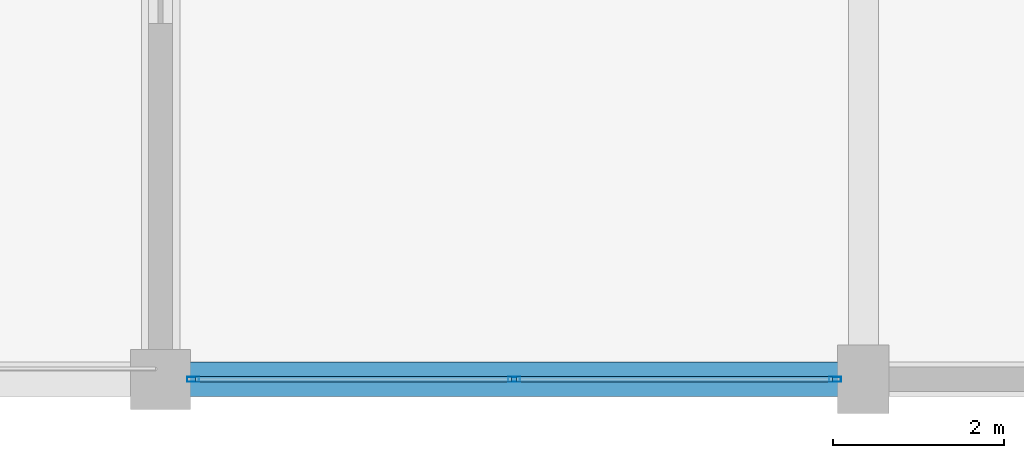
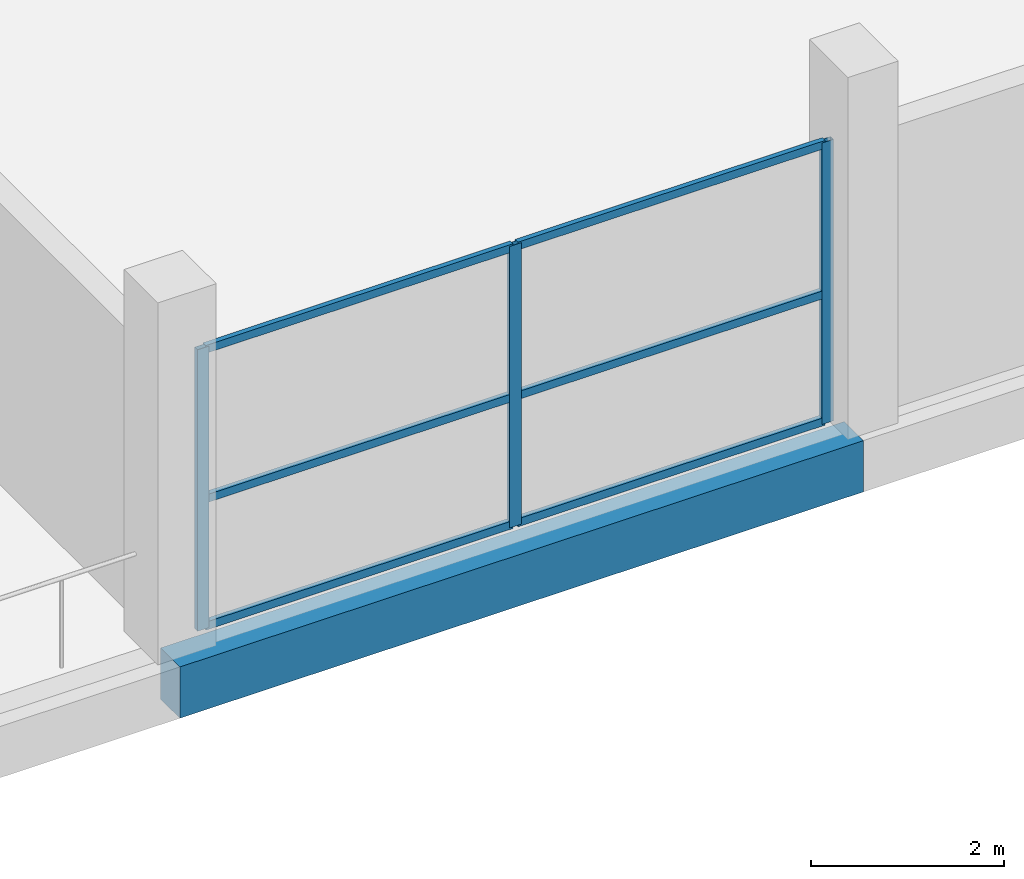
# One storey, part 10 of 49: 9 members, 1 beam, 1 element without a shape of its own.
"""IFC4 building model written with IfcOpenShell, lengths in metres."""

import ifcopenshell
import ifcopenshell.guid

model = None  # the IFC model being written
_history = None  # IfcOwnerHistory: only IFC2X3 demands one
_inside = {}  # id of a spatial element -> (the spatial element, [elements in it])
_under = {}  # id of a project, library or spatial element -> (it, [spatial elements below it])
_declared = {}  # id of a project -> (the project, [libraries it declares])
_typed = {}  # id of a type object -> (the type object, [elements of that type])
_made_of = {}  # id of a material, layer set ... -> (it, [elements and type objects made of it])


def new_model(schema):
    """Start an empty IFC model of exactly this schema.

    Asked for "IFC4X3", IfcOpenShell would pick the latest addendum, in which some entities
    have other attributes; the version numbers below select the first issue.
    IFC2X3 requires an IfcOwnerHistory on every rooted entity: one is made here for all.
    """
    global model, _history
    if schema == "IFC4X3":
        model = ifcopenshell.file(schema_version=(4, 3, 0, 0))
    else:
        model = ifcopenshell.file(schema=schema)
    _inside.clear()
    _under.clear()
    _declared.clear()
    _typed.clear()
    _made_of.clear()
    _history = None
    if model.schema == "IFC2X3":
        org = make("IfcOrganization", Name="unknown")
        user = make(
            "IfcPersonAndOrganization",
            ThePerson=make("IfcPerson", FamilyName="unknown"),
            TheOrganization=org,
        )
        app = make(
            "IfcApplication",
            ApplicationDeveloper=org,
            Version="unknown",
            ApplicationFullName="unknown",
            ApplicationIdentifier="unknown",
        )
        _history = make(
            "IfcOwnerHistory",
            OwningUser=user,
            OwningApplication=app,
            ChangeAction="ADDED",
            CreationDate=0,
        )
    return model


def make(cls, **values):
    """One entity of the class cls with the attributes given. An attribute that is None is left unset."""
    return model.create_entity(
        cls, **{name: value for name, value in values.items() if value is not None}
    )


def rooted(cls, **values):
    """An entity with a GlobalId (a new one), such as an element, a storey or a relation."""
    return make(cls, GlobalId=ifcopenshell.guid.new(), OwnerHistory=_history, **values)


def si_unit(unit_type, name, prefix=None):
    """IfcSIUnit, for example si_unit("LENGTHUNIT", "METRE", prefix="MILLI")."""
    return make("IfcSIUnit", UnitType=unit_type, Prefix=prefix, Name=name)


def assignment(units):
    """IfcUnitAssignment: the units of a project."""
    return None if units is None else make("IfcUnitAssignment", Units=units)


def point(xyz):
    """IfcCartesianPoint."""
    return None if xyz is None else make("IfcCartesianPoint", Coordinates=xyz)


def direction(xyz):
    """IfcDirection."""
    return None if xyz is None else make("IfcDirection", DirectionRatios=xyz)


def frame(location, z_axis=None, x_axis=None):
    """IfcAxis2Placement3D, a coordinate frame: its origin and axes. An axis left out is left unset."""
    return make(
        "IfcAxis2Placement3D",
        Location=point(location),
        Axis=direction(z_axis),
        RefDirection=direction(x_axis),
    )


def frame_2d(location, x_axis=None):
    """IfcAxis2Placement2D, a coordinate frame in the plane: its origin and x axis."""
    return make(
        "IfcAxis2Placement2D", Location=point(location), RefDirection=direction(x_axis)
    )


def origin():
    """The frame at (0, 0, 0) with its axes left unset."""
    return frame((0.0, 0.0, 0.0))


def origin_2d():
    """The frame at (0, 0) in the plane with its x axis left unset."""
    return frame_2d((0.0, 0.0))


def place(relative_to, where):
    """IfcLocalPlacement: puts the frame where relative to a parent placement (None: the world)."""
    return make(
        "IfcLocalPlacement", PlacementRelTo=relative_to, RelativePlacement=where
    )


def context(
    kind, dimensions, precision=None, world=None, true_north=None, identifier=None
):
    """IfcGeometricRepresentationContext, for example the 3D "Model" context."""
    return make(
        "IfcGeometricRepresentationContext",
        ContextIdentifier=identifier,
        ContextType=kind,
        CoordinateSpaceDimension=dimensions,
        Precision=precision,
        WorldCoordinateSystem=world,
        TrueNorth=true_north,
    )


def subcontext(parent, identifier, kind, view, scale=None):
    """IfcGeometricRepresentationSubContext, for example "Body" below "Model"."""
    return make(
        "IfcGeometricRepresentationSubContext",
        ContextIdentifier=identifier,
        ContextType=kind,
        ParentContext=parent,
        TargetScale=scale,
        TargetView=view,
    )


def project(units=None, contexts=None):
    """IfcProject with its units and contexts."""
    return rooted(
        "IfcProject",
        Name="project",
        RepresentationContexts=contexts,
        UnitsInContext=assignment(units),
    )


def spatial(cls, under=None, at=None, **own):
    """A site, building, storey or space (cls), placed at a placement, below another one or the project."""
    s = rooted(cls, ObjectPlacement=at, **own)
    if under is not None:
        _under.setdefault(under.id(), (under, []))[1].append(s)
    return s


def profile(cls, at=None, kind="AREA", **sizes):
    """A parametric profile (cls). Its sizes go by their IFC names, for example OverallWidth=200.0."""
    return make(cls, ProfileType=kind, Position=at, **sizes)


def rectangle(**sizes):
    """IfcRectangleProfileDef."""
    return profile("IfcRectangleProfileDef", **sizes)


def hollow_rectangle(**sizes):
    """IfcRectangleHollowProfileDef."""
    return profile("IfcRectangleHollowProfileDef", **sizes)


def extrude(swept, where, along, depth):
    """IfcExtrudedAreaSolid: the profile swept, set in the frame where, extruded along a direction by depth."""
    return make(
        "IfcExtrudedAreaSolid",
        SweptArea=swept,
        Position=where,
        ExtrudedDirection=direction(along),
        Depth=depth,
    )


def shape(context_of_items, identifier, shape_type, items):
    """IfcShapeRepresentation: the items that make up one representation, for example the "Body"."""
    return make(
        "IfcShapeRepresentation",
        ContextOfItems=context_of_items,
        RepresentationIdentifier=identifier,
        RepresentationType=shape_type,
        Items=items,
    )


def material(Name=None, Category=None):
    """IfcMaterial."""
    return make("IfcMaterial", Name=Name, Category=Category)


def layer(
    of_material, thickness, ventilated=None, Name=None, Category=None, Priority=None
):
    """IfcMaterialLayer: one layer of a wall or slab, of a material (None: an air gap)."""
    return make(
        "IfcMaterialLayer",
        Material=of_material,
        LayerThickness=thickness,
        IsVentilated=ventilated,
        Name=Name,
        Category=Category,
        Priority=Priority,
    )


def layer_set(layers, Name=None):
    """IfcMaterialLayerSet."""
    return make("IfcMaterialLayerSet", MaterialLayers=layers, LayerSetName=Name)


def material_profile(
    of_material, cross_section, Name=None, Category=None, Priority=None
):
    """IfcMaterialProfile: a cross section and its material."""
    return make(
        "IfcMaterialProfile",
        Name=Name,
        Material=of_material,
        Profile=cross_section,
        Priority=Priority,
        Category=Category,
    )


def profile_set(profiles, Name=None, composite=None):
    """IfcMaterialProfileSet."""
    return make(
        "IfcMaterialProfileSet",
        Name=Name,
        MaterialProfiles=profiles,
        CompositeProfile=composite,
    )


def made_of(thing, what):
    """Note that an element or type object is made of a material, layer set ...; save() writes the relation."""
    if what is not None:
        _made_of.setdefault(what.id(), (what, []))[1].append(thing)
    return thing


def type_object(cls, material=None, **own):
    """A type object (cls), such as IfcWallType, which elements share."""
    return made_of(rooted(cls, **own), material)


def element(
    cls,
    number,
    at=None,
    inside=None,
    cuts=None,
    type_object=None,
    material=None,
    context=None,
    identifier="Body",
    shape_type=None,
    held_by="IfcProductDefinitionShape",
    body=None,
    shapes=None,
    **own,
):
    """One element of the class cls, such as IfcWall. Its Tag is "e" and its number.

    at: its placement. inside: the storey or other place that contains it. cuts: it is an
    opening in that element (IfcRelVoidsElement). A single representation is given by context,
    identifier, shape_type and body (its items); several are given by shapes. held_by: the class
    of the entity that holds the representations. save() writes the other relations.
    """
    e = rooted(cls, Tag="e%d" % number, ObjectPlacement=at, **own)
    if body is not None:
        shapes = [shape(context, identifier, shape_type, body)]
    if shapes is not None:
        e.Representation = make(held_by, Representations=shapes)
    if inside is not None:
        _inside.setdefault(inside.id(), (inside, []))[1].append(e)
    if cuts is not None:
        rooted(
            "IfcRelVoidsElement", RelatingBuildingElement=cuts, RelatedOpeningElement=e
        )
    if type_object is not None:
        _typed.setdefault(type_object.id(), (type_object, []))[1].append(e)
    return made_of(e, material)


def aggregate(whole, parts):
    """IfcRelAggregates: a whole, such as a stair, and the parts it consists of."""
    return rooted("IfcRelAggregates", RelatingObject=whole, RelatedObjects=parts)


def save(model, path):
    """Write the relations noted so far, then the file.

    IfcRelAggregates (storeys below a building ...), IfcRelContainedInSpatialStructure (elements
    in a storey), IfcRelDefinesByType, IfcRelAssociatesMaterial and IfcRelDeclares: one each for
    every whole, place, type object, material and project.
    """
    for whole, parts in _under.values():
        aggregate(whole, parts)
    for where, things in _inside.values():
        rooted(
            "IfcRelContainedInSpatialStructure",
            RelatedElements=things,
            RelatingStructure=where,
        )
    for kind, things in _typed.values():
        rooted("IfcRelDefinesByType", RelatedObjects=things, RelatingType=kind)
    for what, things in _made_of.values():
        rooted("IfcRelAssociatesMaterial", RelatedObjects=things, RelatingMaterial=what)
    for by, libraries in _declared.values():
        rooted("IfcRelDeclares", RelatingContext=by, RelatedDefinitions=libraries)
    model.write(path)


model = new_model("IFC4")

# Units and contexts
model_context = context("Model", 3, precision=1e-05, world=origin(), true_north=direction((0.0, 1.0)))
body_context = subcontext(model_context, "Body", "Model", "MODEL_VIEW")
ifc_project = project(units=[si_unit("LENGTHUNIT", "METRE"), si_unit("AREAUNIT", "SQUARE_METRE"), si_unit("VOLUMEUNIT", "CUBIC_METRE"), si_unit("PLANEANGLEUNIT", "RADIAN"), si_unit("MASSUNIT", "GRAM", prefix="KILO")], contexts=[model_context])

# Site, building, storey
site_placement = place(None, origin())
site = spatial("IfcSite", under=ifc_project, at=site_placement, CompositionType="ELEMENT")
building_placement = place(site_placement, origin())
building = spatial("IfcBuilding", under=site, at=building_placement, Name="Sillaruma Civic Art Gallery", CompositionType="ELEMENT")
storey_placement = place(building_placement, frame((0.0, 0.0, 33.14990234375)))
storey = spatial("IfcBuildingStorey", under=building, at=storey_placement, Name="L06", CompositionType="ELEMENT", Elevation=33.14990234375)

# Beam
ifc_material_1 = material(Name="Concrete H35 (35 MPa)", Category="concrete")
ifc_material_profile_1 = material_profile(ifc_material_1, rectangle(XDim=0.39990234375, YDim=0.64990234375, at=origin_2d()), Name="RCB400x650")
ifc_profile_set_1 = profile_set([ifc_material_profile_1], Name="Concrete H35 (35 MPa)")
beam_type = type_object("IfcBeamType", Name="BM-SPANDREL-RCB400x650", PredefinedType="SPANDREL", material=ifc_profile_set_1)
beam_placement = place(storey_placement, frame((98.0, 19.800048828125, -0.56494140625), z_axis=(1.0, 0.0, 0.0), x_axis=(0.0, 1.0, 0.0)))
element("IfcBeam", 1, at=beam_placement, inside=storey, type_object=beam_type, Name="Beam BS-02 (L05:3:L-M)", PredefinedType="SPANDREL", context=body_context, shape_type="SweptSolid", body=[
    extrude(rectangle(XDim=0.39990234375, YDim=0.64990234375, at=origin_2d()), origin(), (0.0, 0.0, 1.0), 8.199951171875),
])

# Curtain wall, members
ifc_material_2 = material(Name="Thermally Broken Extruded Aluminium 6063-T6", Category="aluminium")
ifc_layer = layer(ifc_material_2, 0.139892578125, Name="Thermally Broken Extruded Aluminium 6063-T6")
ifc_layer_set = layer_set([ifc_layer], Name="Thermally Broken Extruded Aluminium 6063-T6")
curtain_wall_type = type_object("IfcCurtainWallType", Name="CW-UNI-43", PredefinedType="NOTDEFINED", material=ifc_layer_set)
curtain_wall_placement = place(storey_placement, origin())
curtain_wall = element("IfcCurtainWall", 2, at=curtain_wall_placement, inside=storey, type_object=curtain_wall_type, Name="Unitised Curtain Wall CW-43 (CW-L06-S-6)", PredefinedType="NOTDEFINED")
ifc_material_profile_2 = material_profile(ifc_material_2, hollow_rectangle(XDim=0.06005859375, YDim=0.139892578125, WallThickness=0.00341796875, at=origin_2d()), Name="CWM60x140")
ifc_profile_set_2 = profile_set([ifc_material_profile_2], Name="Thermally Broken Extruded Aluminium 6063-T6")
member_type_1 = type_object("IfcMemberType", Name="MEM-MUL-CWM60x140", PredefinedType="MULLION", material=ifc_profile_set_2)
member_1_placement = place(storey_placement, frame((98.3798828125, 19.800048828125, 0.0), z_axis=(0.0, 0.0, 1.0), x_axis=(0.0, 1.0, 0.0)))
member_1 = element("IfcMember", 3, at=member_1_placement, type_object=member_type_1, Name="CW-43 mullion 1", PredefinedType="MULLION", context=body_context, shape_type="SweptSolid", body=[
    extrude(hollow_rectangle(XDim=0.06005859375, YDim=0.139892578125, WallThickness=0.00341796875, at=origin_2d()), origin(), (0.0, 0.0, 1.0), 3.570068359375),
])
member_2_placement = place(storey_placement, frame((102.125, 19.800048828125, 0.0), z_axis=(0.0, 0.0, 1.0), x_axis=(0.0, 1.0, 0.0)))
member_2 = element("IfcMember", 4, at=member_2_placement, type_object=member_type_1, Name="CW-43 mullion 2", PredefinedType="MULLION", context=body_context, shape_type="SweptSolid", body=[
    extrude(hollow_rectangle(XDim=0.06005859375, YDim=0.139892578125, WallThickness=0.00341796875, at=origin_2d()), origin(), (0.0, 0.0, 1.0), 3.570068359375),
])
member_3_placement = place(storey_placement, frame((105.8701171875, 19.800048828125, 0.0), z_axis=(0.0, 0.0, 1.0), x_axis=(0.0, 1.0, 0.0)))
member_3 = element("IfcMember", 5, at=member_3_placement, type_object=member_type_1, Name="CW-43 mullion 3", PredefinedType="MULLION", context=body_context, shape_type="SweptSolid", body=[
    extrude(hollow_rectangle(XDim=0.06005859375, YDim=0.139892578125, WallThickness=0.00341796875, at=origin_2d()), origin(), (0.0, 0.0, 1.0), 3.570068359375),
])
ifc_material_profile_3 = material_profile(ifc_material_2, hollow_rectangle(XDim=0.06005859375, YDim=0.10009765625, WallThickness=0.003173828125, at=origin_2d()), Name="CWT60x100")
ifc_profile_set_3 = profile_set([ifc_material_profile_3], Name="Thermally Broken Extruded Aluminium 6063-T6")
member_type_2 = type_object("IfcMemberType", Name="MEM-TRN-CWT60x100", PredefinedType="USERDEFINED", material=ifc_profile_set_3)
member_4_placement = place(storey_placement, frame((98.409912109375, 19.800048828125, 0.030029296875), z_axis=(1.0, 0.0, 0.0), x_axis=(0.0, 1.0, 0.0)))
member_4 = element("IfcMember", 6, at=member_4_placement, type_object=member_type_2, Name="CW-43 transom 1.1", ObjectType="TRANSOM", PredefinedType="USERDEFINED", context=body_context, shape_type="SweptSolid", body=[
    extrude(hollow_rectangle(XDim=0.06005859375, YDim=0.10009765625, WallThickness=0.003173828125, at=origin_2d()), origin(), (0.0, 0.0, 1.0), 3.68505859375),
])
member_5_placement = place(storey_placement, frame((98.409912109375, 19.800048828125, 1.642333984375), z_axis=(1.0, 0.0, 0.0), x_axis=(0.0, 1.0, 0.0)))
member_5 = element("IfcMember", 7, at=member_5_placement, type_object=member_type_2, Name="CW-43 transom 1.2", ObjectType="TRANSOM", PredefinedType="USERDEFINED", context=body_context, shape_type="SweptSolid", body=[
    extrude(hollow_rectangle(XDim=0.06005859375, YDim=0.10009765625, WallThickness=0.003173828125, at=origin_2d()), origin(), (0.0, 0.0, 1.0), 3.68505859375),
])
member_6_placement = place(storey_placement, frame((98.409912109375, 19.800048828125, 3.5400390625), z_axis=(1.0, 0.0, 0.0), x_axis=(0.0, 1.0, 0.0)))
member_6 = element("IfcMember", 8, at=member_6_placement, type_object=member_type_2, Name="CW-43 transom 1.3", ObjectType="TRANSOM", PredefinedType="USERDEFINED", context=body_context, shape_type="SweptSolid", body=[
    extrude(hollow_rectangle(XDim=0.06005859375, YDim=0.10009765625, WallThickness=0.003173828125, at=origin_2d()), origin(), (0.0, 0.0, 1.0), 3.68505859375),
])
member_7_placement = place(storey_placement, frame((102.155029296875, 19.800048828125, 0.030029296875), z_axis=(1.0, 0.0, 0.0), x_axis=(0.0, 1.0, 0.0)))
member_7 = element("IfcMember", 9, at=member_7_placement, type_object=member_type_2, Name="CW-43 transom 2.1", ObjectType="TRANSOM", PredefinedType="USERDEFINED", context=body_context, shape_type="SweptSolid", body=[
    extrude(hollow_rectangle(XDim=0.06005859375, YDim=0.10009765625, WallThickness=0.003173828125, at=origin_2d()), origin(), (0.0, 0.0, 1.0), 3.68505859375),
])
member_8_placement = place(storey_placement, frame((102.155029296875, 19.800048828125, 1.642333984375), z_axis=(1.0, 0.0, 0.0), x_axis=(0.0, 1.0, 0.0)))
member_8 = element("IfcMember", 10, at=member_8_placement, type_object=member_type_2, Name="CW-43 transom 2.2", ObjectType="TRANSOM", PredefinedType="USERDEFINED", context=body_context, shape_type="SweptSolid", body=[
    extrude(hollow_rectangle(XDim=0.06005859375, YDim=0.10009765625, WallThickness=0.003173828125, at=origin_2d()), origin(), (0.0, 0.0, 1.0), 3.68505859375),
])
member_9_placement = place(storey_placement, frame((102.155029296875, 19.800048828125, 3.5400390625), z_axis=(1.0, 0.0, 0.0), x_axis=(0.0, 1.0, 0.0)))
member_9 = element("IfcMember", 11, at=member_9_placement, type_object=member_type_2, Name="CW-43 transom 2.3", ObjectType="TRANSOM", PredefinedType="USERDEFINED", context=body_context, shape_type="SweptSolid", body=[
    extrude(hollow_rectangle(XDim=0.06005859375, YDim=0.10009765625, WallThickness=0.003173828125, at=origin_2d()), origin(), (0.0, 0.0, 1.0), 3.68505859375),
])
aggregate(curtain_wall, [member_1, member_2, member_3, member_4, member_5, member_6, member_7, member_8, member_9])

save(model, "model.ifc")
